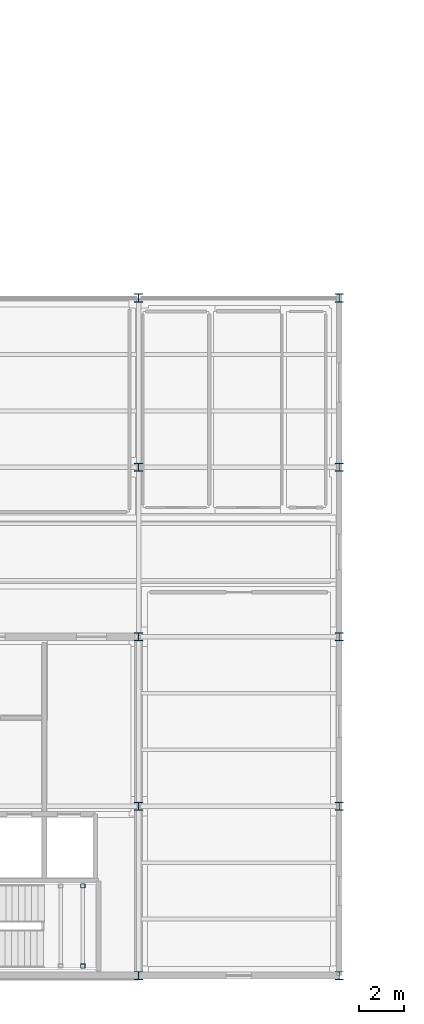
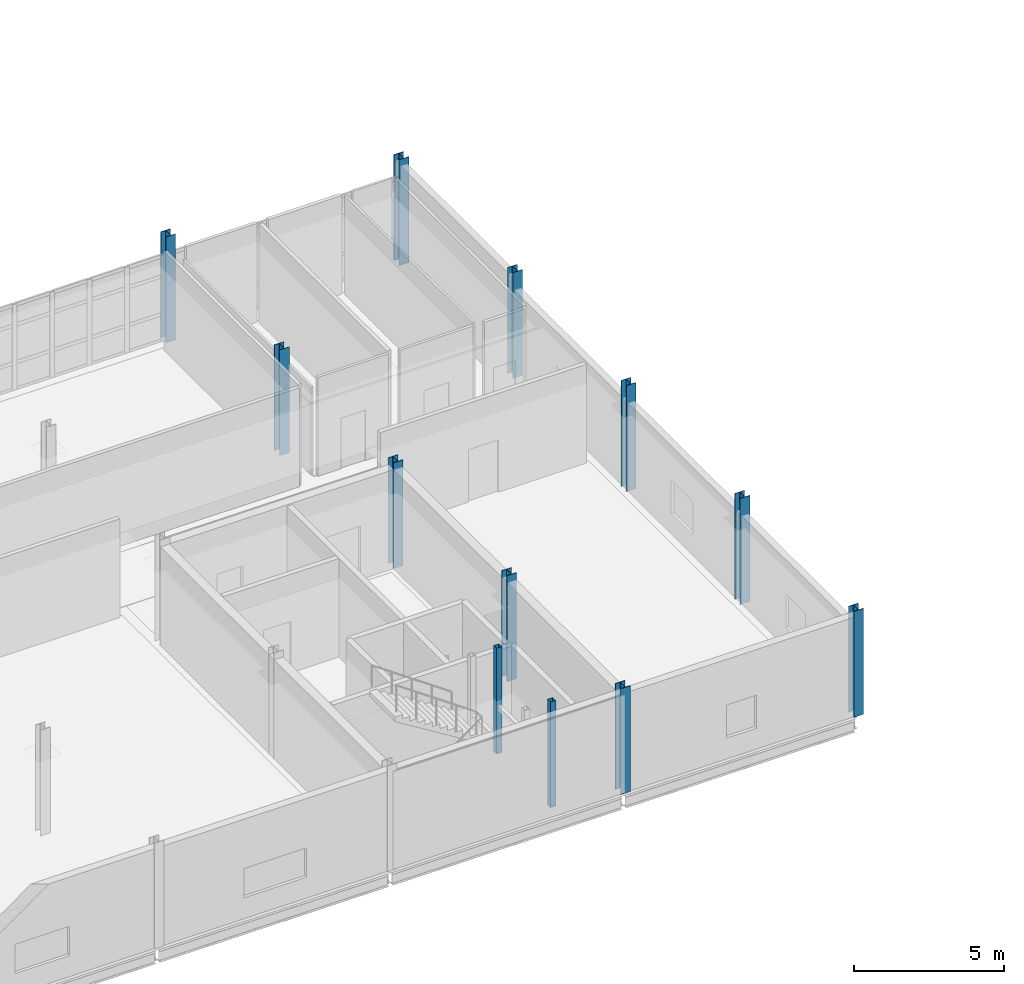
# One storey, part 11 of 174: 12 columns.
"""IFC4 building model written with IfcOpenShell, lengths in metres."""

from ifc_helpers import new_model, si_unit, direction, frame, origin, origin_2d, place, context, subcontext, project, spatial, hollow_rectangle, i_section, extrude, material, material_profile, profile_set, type_object, element, save


model = new_model("IFC4")

# Units and contexts
model_context = context("Model", 3, precision=1e-05, world=origin(), true_north=direction((0.0, 1.0)))
body_context = subcontext(model_context, "Body", "Model", "MODEL_VIEW")
ifc_project = project(units=[si_unit("LENGTHUNIT", "METRE"), si_unit("AREAUNIT", "SQUARE_METRE"), si_unit("VOLUMEUNIT", "CUBIC_METRE"), si_unit("PLANEANGLEUNIT", "RADIAN"), si_unit("MASSUNIT", "GRAM", prefix="KILO")], contexts=[model_context])

# Site, building, storey
site_placement = place(None, origin())
site = spatial("IfcSite", under=ifc_project, at=site_placement, CompositionType="ELEMENT")
building_placement = place(site_placement, origin())
building = spatial("IfcBuilding", under=site, at=building_placement, Name="Caisbarro Railhouse Central Library", CompositionType="ELEMENT")
storey_placement = place(building_placement, frame((0.0, 0.0, 5.0400390625)))
storey = spatial("IfcBuildingStorey", under=building, at=storey_placement, Name="L01", CompositionType="ELEMENT", Elevation=5.0400390625)

# Columns
ifc_material = material(Name="Steel ASTM A572 Grade 50", Category="steel")
ifc_material_profile_1 = material_profile(ifc_material, i_section(OverallWidth=0.37109375, OverallDepth=0.364013671875, WebThickness=0.01318359375, FlangeThickness=0.021728515625, FilletRadius=0.01806640625, at=origin_2d()), Name="W360X162.0")
ifc_profile_set_1 = profile_set([ifc_material_profile_1], Name="Steel ASTM A572 Grade 50")
column_type_1 = type_object("IfcColumnType", Name="COL-C02", PredefinedType="COLUMN", material=ifc_profile_set_1)
for number, where, z_axis, x_axis, name in (
    (1, (99.0, 0.0, 0.0), (0.0, 0.0, 1.0), (1.0, 0.0, 0.0), "C02 column L01 (99.0,0.0)"),
    (2, (99.0, 7.60009765625, 0.0), (0.0, 0.0, 1.0), (1.0, 0.0, 0.0), "C02 column L01 (99.0,7.6)"),
    (3, (99.0, 15.199951171875, 0.0), (0.0, 0.0, 1.0), (1.0, 0.0, 0.0), "C02 column L01 (99.0,15.2)"),
    (4, (99.0, 22.800048828125, 0.0), (0.0, 0.0, 1.0), (1.0, 0.0, 0.0), "C02 column L01 (99.0,22.8)"),
    (5, (99.0, 30.39990234375, 0.0), (0.0, 0.0, 1.0), (1.0, 0.0, 0.0), "C02 column L01 (99.0,30.4)"),
    (6, (108.0, 0.0, 0.0), (0.0, 0.0, 1.0), (1.0, 0.0, 0.0), "C02 column L01 (108.0,0.0)"),
    (7, (108.0, 7.60009765625, 0.0), (0.0, 0.0, 1.0), (1.0, 0.0, 0.0), "C02 column L01 (108.0,7.6)"),
    (8, (108.0, 15.199951171875, 0.0), (0.0, 0.0, 1.0), (1.0, 0.0, 0.0), "C02 column L01 (108.0,15.2)"),
    (9, (108.0, 22.800048828125, 0.0), (0.0, 0.0, 1.0), (1.0, 0.0, 0.0), "C02 column L01 (108.0,22.8)"),
    (10, (108.0, 30.39990234375, 0.0), (0.0, 0.0, 1.0), (1.0, 0.0, 0.0), "C02 column L01 (108.0,30.4)"),
):
    element("IfcColumn", number, at=place(storey_placement, frame(where, z_axis=z_axis, x_axis=x_axis)), inside=storey, type_object=column_type_1, Name=name, PredefinedType="COLUMN", context=body_context, shape_type="SweptSolid", body=[
        extrude(i_section(OverallWidth=0.37109375, OverallDepth=0.364013671875, WebThickness=0.01318359375, FlangeThickness=0.021728515625, FilletRadius=0.01806640625, at=origin_2d()), origin(), (0.0, 0.0, 1.0), 4.320068359375),
    ])
ifc_material_profile_2 = material_profile(ifc_material, hollow_rectangle(XDim=0.199951171875, YDim=0.199951171875, WallThickness=0.012451171875, at=origin_2d()), Name="HSS200X200X12.5")
ifc_profile_set_2 = profile_set([ifc_material_profile_2], Name="Steel ASTM A572 Grade 50")
column_type_2 = type_object("IfcColumnType", Name="COL-C10", PredefinedType="COLUMN", material=ifc_profile_set_2)
for number, where, z_axis, x_axis, name in (
    (11, (96.5, 0.419921875, 0.0), (0.0, 0.0, 1.0), (1.0, 0.0, 0.0), "C10 Stair Landing Post K2 L01.3"),
    (12, (96.5, 4.030029296875, 0.0), (0.0, 0.0, 1.0), (1.0, 0.0, 0.0), "C10 Stair Landing Post K2 L01.4"),
):
    element("IfcColumn", number, at=place(storey_placement, frame(where, z_axis=z_axis, x_axis=x_axis)), inside=storey, type_object=column_type_2, Name=name, PredefinedType="COLUMN", context=body_context, shape_type="SweptSolid", body=[
        extrude(hollow_rectangle(XDim=0.199951171875, YDim=0.199951171875, WallThickness=0.012451171875, at=origin_2d()), origin(), (0.0, 0.0, 1.0), 4.320068359375),
    ])

save(model, "model.ifc")
